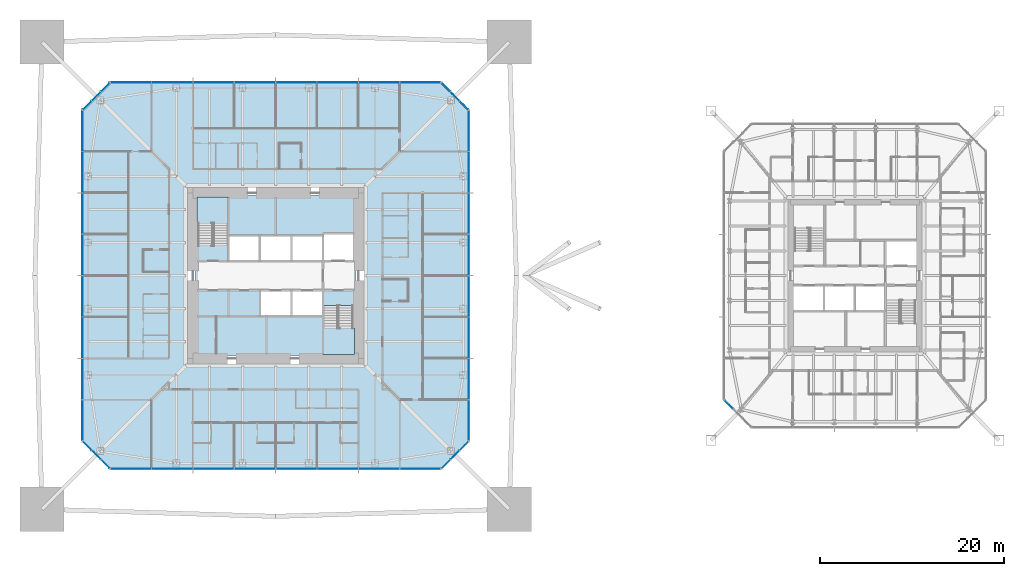
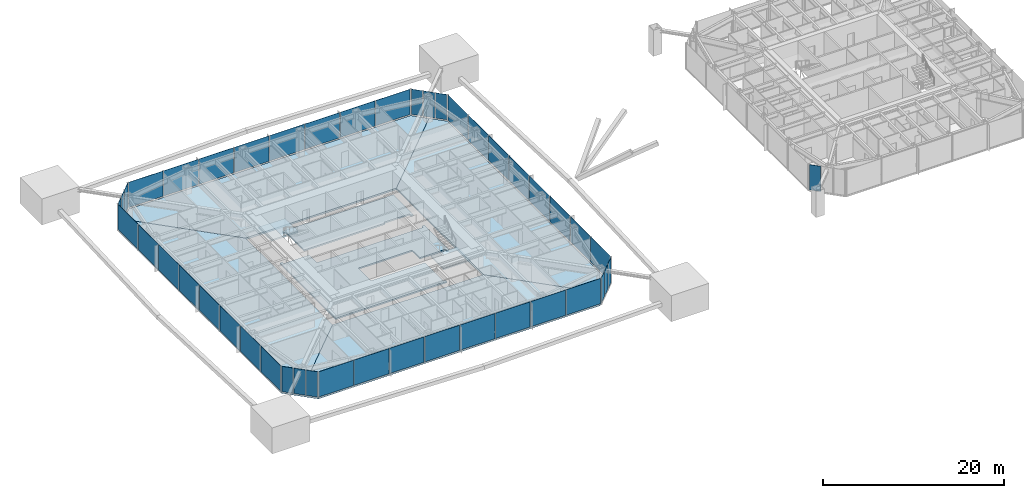
# One storey, part 13 of 27: 45 plates, 8 slabs, 11 elements without a shape of their own.
"""IFC4 building model written with IfcOpenShell, lengths in metres."""

from ifc_helpers import new_model, si_unit, direction, frame, origin, origin_2d, place, context, subcontext, project, spatial, polyline, rectangle, outline, extrude, material, layer, layer_set, constituent, constituent_set, type_object, element, aggregate, save


model = new_model("IFC4")

# Units and contexts
model_context = context("Model", 3, precision=1e-05, world=origin(), true_north=direction((0.0, 1.0)))
body_context = subcontext(model_context, "Body", "Model", "MODEL_VIEW")
ifc_project = project(units=[si_unit("LENGTHUNIT", "METRE"), si_unit("AREAUNIT", "SQUARE_METRE"), si_unit("VOLUMEUNIT", "CUBIC_METRE"), si_unit("PLANEANGLEUNIT", "RADIAN"), si_unit("MASSUNIT", "GRAM", prefix="KILO")], contexts=[model_context])

# Site, building, storey
site_placement = place(None, origin())
site = spatial("IfcSite", under=ifc_project, at=site_placement, CompositionType="ELEMENT")
building_placement = place(site_placement, origin())
building = spatial("IfcBuilding", under=site, at=building_placement, Name="Iwan Alto Co-Living Towers", CompositionType="ELEMENT")
storey_placement = place(building_placement, frame((0.0, 0.0, 91.0)))
storey = spatial("IfcBuildingStorey", under=building, at=storey_placement, Name="L24", CompositionType="ELEMENT", Elevation=91.0)

# Slabs
ifc_material_1 = material(Name="Concrete f'c 30 MPa", Category="concrete")
ifc_layer_1 = layer(ifc_material_1, 0.199951171875)
ifc_layer_set_1 = layer_set([ifc_layer_1], Name="CORE FLOOR SLAB 200")
slab_type_1 = type_object("IfcSlabType", Name="CORE FLOOR SLAB 200", PredefinedType="FLOOR", material=ifc_layer_set_1)
slab_1_placement = place(storey_placement, frame((0.0, 0.0, -0.199951171875)))
element("IfcSlab", 1, at=slab_1_placement, inside=storey, type_object=slab_type_1, Name="T1 core floor L24", PredefinedType="FLOOR", context=body_context, shape_type="SweptSolid", body=[
    extrude(outline(polyline([(5.14990234375, -1.60009765625), (1.72509765625, -1.60009765625), (-1.699951171875, -1.60009765625), (-1.699951171875, -4.39990234375), (1.72509765625, -4.39990234375), (5.14990234375, -4.39990234375), (5.14990234375, -8.39990234375), (5.4599609375, -8.39990234375), (5.4599609375, -8.699951171875), (-8.699951171875, -8.699951171875), (-8.699951171875, 3.580078125), (-8.39990234375, 3.580078125), (-8.39990234375, 3.27001953125), (-5.14990234375, 3.27001953125), (-5.14990234375, 1.60009765625), (-1.717041015625, 1.60009765625), (1.717041015625, 1.60009765625), (5.14990234375, 1.60009765625), (8.39990234375, 1.60009765625), (8.39990234375, 1.909912109375), (8.699951171875, 1.909912109375), (8.699951171875, -3.580078125), (8.39990234375, -3.580078125), (8.39990234375, -3.27001953125), (5.14990234375, -3.27001953125), (5.14990234375, -1.60009765625)])), origin(), (0.0, 0.0, 1.0), 0.199951171875),
])
slab_2_placement = place(storey_placement, frame((0.0, 0.0, -0.199951171875)))
element("IfcSlab", 2, at=slab_2_placement, inside=storey, type_object=slab_type_1, Name="T1 core floor L24", PredefinedType="FLOOR", context=body_context, shape_type="SweptSolid", body=[
    extrude(outline(polyline([(1.717041015625, 4.39990234375), (-1.717041015625, 4.39990234375), (-5.14990234375, 4.39990234375), (-5.14990234375, 8.39990234375), (-5.4599609375, 8.39990234375), (-5.4599609375, 8.699951171875), (8.699951171875, 8.699951171875), (8.699951171875, 4.2900390625), (8.39990234375, 4.2900390625), (8.39990234375, 4.60009765625), (5.14990234375, 4.60009765625), (5.14990234375, 4.39990234375), (1.717041015625, 4.39990234375)])), origin(), (0.0, 0.0, 1.0), 0.199951171875),
])

# Curtain wall, plates
ifc_material_2 = material(Name="Bronze aluminium unitised frame", Category="aluminium")
curtain_wall_type_1 = type_object("IfcCurtainWallType", Name="CURTAIN WALL CW-A", PredefinedType="NOTDEFINED", material=ifc_material_2)
curtain_wall_1_placement = place(storey_placement, origin())
curtain_wall_1 = element("IfcCurtainWall", 3, at=curtain_wall_1_placement, inside=storey, type_object=curtain_wall_type_1, Name="T1 curtain wall S L24", PredefinedType="NOTDEFINED")
ifc_material_3 = material(Name="Bronze-tinted insulating glass", Category="glass")
ifc_layer_2 = layer(ifc_material_3, 0.031982421875)
ifc_layer_set_2 = layer_set([ifc_layer_2], Name="CW-A PANEL TINTED IGU 32")
plate_type_1 = type_object("IfcPlateType", Name="CW-A PANEL TINTED IGU 32", PredefinedType="CURTAIN_PANEL", material=ifc_layer_set_2)
plate_1_placement = place(storey_placement, frame((-15.72998046875, -21.0, 0.10009765625), z_axis=(0.0, 0.0, 1.0), x_axis=(1.0, 0.0, 0.0)))
plate_1 = element("IfcPlate", 4, at=plate_1_placement, type_object=plate_type_1, Name="CW-A panel 1.1", PredefinedType="CURTAIN_PANEL", context=body_context, shape_type="SweptSolid", body=[
    extrude(rectangle(XDim=4.3798828125, YDim=0.031982421875, at=origin_2d()), origin(), (0.0, 0.0, 1.0), 3.39990234375),
])
plate_2_placement = place(storey_placement, frame((-11.25, -21.0, 0.10009765625), z_axis=(0.0, 0.0, 1.0), x_axis=(1.0, 0.0, 0.0)))
plate_2 = element("IfcPlate", 5, at=plate_2_placement, type_object=plate_type_1, Name="CW-A panel 2.1", PredefinedType="CURTAIN_PANEL", context=body_context, shape_type="SweptSolid", body=[
    extrude(rectangle(XDim=4.419921875, YDim=0.031982421875, at=origin_2d()), origin(), (0.0, 0.0, 1.0), 3.39990234375),
])
plate_3_placement = place(storey_placement, frame((-6.75, -21.0, 0.10009765625), z_axis=(0.0, 0.0, 1.0), x_axis=(1.0, 0.0, 0.0)))
plate_3 = element("IfcPlate", 6, at=plate_3_placement, type_object=plate_type_1, Name="CW-A panel 3.1", PredefinedType="CURTAIN_PANEL", context=body_context, shape_type="SweptSolid", body=[
    extrude(rectangle(XDim=4.419921875, YDim=0.031982421875, at=origin_2d()), origin(), (0.0, 0.0, 1.0), 3.39990234375),
])
plate_4_placement = place(storey_placement, frame((-2.25, -21.0, 0.10009765625), z_axis=(0.0, 0.0, 1.0), x_axis=(1.0, 0.0, 0.0)))
plate_4 = element("IfcPlate", 7, at=plate_4_placement, type_object=plate_type_1, Name="CW-A panel 4.1", PredefinedType="CURTAIN_PANEL", context=body_context, shape_type="SweptSolid", body=[
    extrude(rectangle(XDim=4.419921875, YDim=0.031982421875, at=origin_2d()), origin(), (0.0, 0.0, 1.0), 3.39990234375),
])
plate_5_placement = place(storey_placement, frame((2.25, -21.0, 0.10009765625), z_axis=(0.0, 0.0, 1.0), x_axis=(1.0, 0.0, 0.0)))
plate_5 = element("IfcPlate", 8, at=plate_5_placement, type_object=plate_type_1, Name="CW-A panel 5.1", PredefinedType="CURTAIN_PANEL", context=body_context, shape_type="SweptSolid", body=[
    extrude(rectangle(XDim=4.419921875, YDim=0.031982421875, at=origin_2d()), origin(), (0.0, 0.0, 1.0), 3.39990234375),
])
plate_6_placement = place(storey_placement, frame((6.75, -21.0, 0.10009765625), z_axis=(0.0, 0.0, 1.0), x_axis=(1.0, 0.0, 0.0)))
plate_6 = element("IfcPlate", 9, at=plate_6_placement, type_object=plate_type_1, Name="CW-A panel 6.1", PredefinedType="CURTAIN_PANEL", context=body_context, shape_type="SweptSolid", body=[
    extrude(rectangle(XDim=4.419921875, YDim=0.031982421875, at=origin_2d()), origin(), (0.0, 0.0, 1.0), 3.39990234375),
])
plate_7_placement = place(storey_placement, frame((11.25, -21.0, 0.10009765625), z_axis=(0.0, 0.0, 1.0), x_axis=(1.0, 0.0, 0.0)))
plate_7 = element("IfcPlate", 10, at=plate_7_placement, type_object=plate_type_1, Name="CW-A panel 7.1", PredefinedType="CURTAIN_PANEL", context=body_context, shape_type="SweptSolid", body=[
    extrude(rectangle(XDim=4.419921875, YDim=0.031982421875, at=origin_2d()), origin(), (0.0, 0.0, 1.0), 3.39990234375),
])
plate_8_placement = place(storey_placement, frame((15.72998046875, -21.0, 0.10009765625), z_axis=(0.0, 0.0, 1.0), x_axis=(1.0, 0.0, 0.0)))
plate_8 = element("IfcPlate", 11, at=plate_8_placement, type_object=plate_type_1, Name="CW-A panel 8.1", PredefinedType="CURTAIN_PANEL", context=body_context, shape_type="SweptSolid", body=[
    extrude(rectangle(XDim=4.3798828125, YDim=0.031982421875, at=origin_2d()), origin(), (0.0, 0.0, 1.0), 3.39990234375),
])
aggregate(curtain_wall_1, [plate_1, plate_2, plate_3, plate_4, plate_5, plate_6, plate_7, plate_8])

curtain_wall_2_placement = place(storey_placement, origin())
curtain_wall_2 = element("IfcCurtainWall", 12, at=curtain_wall_2_placement, inside=storey, type_object=curtain_wall_type_1, Name="T1 curtain wall E L24", PredefinedType="NOTDEFINED")
plate_9_placement = place(storey_placement, frame((21.0, -15.72998046875, 0.10009765625), z_axis=(0.0, 0.0, 1.0), x_axis=(0.0, 1.0, 0.0)))
plate_9 = element("IfcPlate", 13, at=plate_9_placement, type_object=plate_type_1, Name="CW-A panel 1.1", PredefinedType="CURTAIN_PANEL", context=body_context, shape_type="SweptSolid", body=[
    extrude(rectangle(XDim=4.3798828125, YDim=0.031982421875, at=origin_2d()), origin(), (0.0, 0.0, 1.0), 3.39990234375),
])
plate_10_placement = place(storey_placement, frame((21.0, -11.25, 0.10009765625), z_axis=(0.0, 0.0, 1.0), x_axis=(0.0, 1.0, 0.0)))
plate_10 = element("IfcPlate", 14, at=plate_10_placement, type_object=plate_type_1, Name="CW-A panel 2.1", PredefinedType="CURTAIN_PANEL", context=body_context, shape_type="SweptSolid", body=[
    extrude(rectangle(XDim=4.419921875, YDim=0.031982421875, at=origin_2d()), origin(), (0.0, 0.0, 1.0), 3.39990234375),
])
plate_11_placement = place(storey_placement, frame((21.0, -6.75, 0.10009765625), z_axis=(0.0, 0.0, 1.0), x_axis=(0.0, 1.0, 0.0)))
plate_11 = element("IfcPlate", 15, at=plate_11_placement, type_object=plate_type_1, Name="CW-A panel 3.1", PredefinedType="CURTAIN_PANEL", context=body_context, shape_type="SweptSolid", body=[
    extrude(rectangle(XDim=4.419921875, YDim=0.031982421875, at=origin_2d()), origin(), (0.0, 0.0, 1.0), 3.39990234375),
])
plate_12_placement = place(storey_placement, frame((21.0, -2.25, 0.10009765625), z_axis=(0.0, 0.0, 1.0), x_axis=(0.0, 1.0, 0.0)))
plate_12 = element("IfcPlate", 16, at=plate_12_placement, type_object=plate_type_1, Name="CW-A panel 4.1", PredefinedType="CURTAIN_PANEL", context=body_context, shape_type="SweptSolid", body=[
    extrude(rectangle(XDim=4.419921875, YDim=0.031982421875, at=origin_2d()), origin(), (0.0, 0.0, 1.0), 3.39990234375),
])
plate_13_placement = place(storey_placement, frame((21.0, 2.25, 0.10009765625), z_axis=(0.0, 0.0, 1.0), x_axis=(0.0, 1.0, 0.0)))
plate_13 = element("IfcPlate", 17, at=plate_13_placement, type_object=plate_type_1, Name="CW-A panel 5.1", PredefinedType="CURTAIN_PANEL", context=body_context, shape_type="SweptSolid", body=[
    extrude(rectangle(XDim=4.419921875, YDim=0.031982421875, at=origin_2d()), origin(), (0.0, 0.0, 1.0), 3.39990234375),
])
plate_14_placement = place(storey_placement, frame((21.0, 6.75, 0.10009765625), z_axis=(0.0, 0.0, 1.0), x_axis=(0.0, 1.0, 0.0)))
plate_14 = element("IfcPlate", 18, at=plate_14_placement, type_object=plate_type_1, Name="CW-A panel 6.1", PredefinedType="CURTAIN_PANEL", context=body_context, shape_type="SweptSolid", body=[
    extrude(rectangle(XDim=4.419921875, YDim=0.031982421875, at=origin_2d()), origin(), (0.0, 0.0, 1.0), 3.39990234375),
])
plate_15_placement = place(storey_placement, frame((21.0, 11.25, 0.10009765625), z_axis=(0.0, 0.0, 1.0), x_axis=(0.0, 1.0, 0.0)))
plate_15 = element("IfcPlate", 19, at=plate_15_placement, type_object=plate_type_1, Name="CW-A panel 7.1", PredefinedType="CURTAIN_PANEL", context=body_context, shape_type="SweptSolid", body=[
    extrude(rectangle(XDim=4.419921875, YDim=0.031982421875, at=origin_2d()), origin(), (0.0, 0.0, 1.0), 3.39990234375),
])
plate_16_placement = place(storey_placement, frame((21.0, 15.72998046875, 0.10009765625), z_axis=(0.0, 0.0, 1.0), x_axis=(0.0, 1.0, 0.0)))
plate_16 = element("IfcPlate", 20, at=plate_16_placement, type_object=plate_type_1, Name="CW-A panel 8.1", PredefinedType="CURTAIN_PANEL", context=body_context, shape_type="SweptSolid", body=[
    extrude(rectangle(XDim=4.3798828125, YDim=0.031982421875, at=origin_2d()), origin(), (0.0, 0.0, 1.0), 3.39990234375),
])
aggregate(curtain_wall_2, [plate_9, plate_10, plate_11, plate_12, plate_13, plate_14, plate_15, plate_16])

curtain_wall_3_placement = place(storey_placement, origin())
curtain_wall_3 = element("IfcCurtainWall", 21, at=curtain_wall_3_placement, inside=storey, type_object=curtain_wall_type_1, Name="T1 curtain wall N L24", PredefinedType="NOTDEFINED")
plate_17_placement = place(storey_placement, frame((15.72998046875, 21.0, 0.10009765625), z_axis=(0.0, 0.0, 1.0), x_axis=(-1.0, 0.0, 0.0)))
plate_17 = element("IfcPlate", 22, at=plate_17_placement, type_object=plate_type_1, Name="CW-A panel 1.1", PredefinedType="CURTAIN_PANEL", context=body_context, shape_type="SweptSolid", body=[
    extrude(rectangle(XDim=4.3798828125, YDim=0.031982421875, at=origin_2d()), origin(), (0.0, 0.0, 1.0), 3.39990234375),
])
plate_18_placement = place(storey_placement, frame((11.25, 21.0, 0.10009765625), z_axis=(0.0, 0.0, 1.0), x_axis=(-1.0, 0.0, 0.0)))
plate_18 = element("IfcPlate", 23, at=plate_18_placement, type_object=plate_type_1, Name="CW-A panel 2.1", PredefinedType="CURTAIN_PANEL", context=body_context, shape_type="SweptSolid", body=[
    extrude(rectangle(XDim=4.419921875, YDim=0.031982421875, at=origin_2d()), origin(), (0.0, 0.0, 1.0), 3.39990234375),
])
plate_19_placement = place(storey_placement, frame((6.75, 21.0, 0.10009765625), z_axis=(0.0, 0.0, 1.0), x_axis=(-1.0, 0.0, 0.0)))
plate_19 = element("IfcPlate", 24, at=plate_19_placement, type_object=plate_type_1, Name="CW-A panel 3.1", PredefinedType="CURTAIN_PANEL", context=body_context, shape_type="SweptSolid", body=[
    extrude(rectangle(XDim=4.419921875, YDim=0.031982421875, at=origin_2d()), origin(), (0.0, 0.0, 1.0), 3.39990234375),
])
plate_20_placement = place(storey_placement, frame((2.25, 21.0, 0.10009765625), z_axis=(0.0, 0.0, 1.0), x_axis=(-1.0, 0.0, 0.0)))
plate_20 = element("IfcPlate", 25, at=plate_20_placement, type_object=plate_type_1, Name="CW-A panel 4.1", PredefinedType="CURTAIN_PANEL", context=body_context, shape_type="SweptSolid", body=[
    extrude(rectangle(XDim=4.419921875, YDim=0.031982421875, at=origin_2d()), origin(), (0.0, 0.0, 1.0), 3.39990234375),
])
plate_21_placement = place(storey_placement, frame((-2.25, 21.0, 0.10009765625), z_axis=(0.0, 0.0, 1.0), x_axis=(-1.0, 0.0, 0.0)))
plate_21 = element("IfcPlate", 26, at=plate_21_placement, type_object=plate_type_1, Name="CW-A panel 5.1", PredefinedType="CURTAIN_PANEL", context=body_context, shape_type="SweptSolid", body=[
    extrude(rectangle(XDim=4.419921875, YDim=0.031982421875, at=origin_2d()), origin(), (0.0, 0.0, 1.0), 3.39990234375),
])
plate_22_placement = place(storey_placement, frame((-6.75, 21.0, 0.10009765625), z_axis=(0.0, 0.0, 1.0), x_axis=(-1.0, 0.0, 0.0)))
plate_22 = element("IfcPlate", 27, at=plate_22_placement, type_object=plate_type_1, Name="CW-A panel 6.1", PredefinedType="CURTAIN_PANEL", context=body_context, shape_type="SweptSolid", body=[
    extrude(rectangle(XDim=4.419921875, YDim=0.031982421875, at=origin_2d()), origin(), (0.0, 0.0, 1.0), 3.39990234375),
])
plate_23_placement = place(storey_placement, frame((-11.25, 21.0, 0.10009765625), z_axis=(0.0, 0.0, 1.0), x_axis=(-1.0, 0.0, 0.0)))
plate_23 = element("IfcPlate", 28, at=plate_23_placement, type_object=plate_type_1, Name="CW-A panel 7.1", PredefinedType="CURTAIN_PANEL", context=body_context, shape_type="SweptSolid", body=[
    extrude(rectangle(XDim=4.419921875, YDim=0.031982421875, at=origin_2d()), origin(), (0.0, 0.0, 1.0), 3.39990234375),
])
plate_24_placement = place(storey_placement, frame((-15.72998046875, 21.0, 0.10009765625), z_axis=(0.0, 0.0, 1.0), x_axis=(-1.0, 0.0, 0.0)))
plate_24 = element("IfcPlate", 29, at=plate_24_placement, type_object=plate_type_1, Name="CW-A panel 8.1", PredefinedType="CURTAIN_PANEL", context=body_context, shape_type="SweptSolid", body=[
    extrude(rectangle(XDim=4.3798828125, YDim=0.031982421875, at=origin_2d()), origin(), (0.0, 0.0, 1.0), 3.39990234375),
])
aggregate(curtain_wall_3, [plate_17, plate_18, plate_19, plate_20, plate_21, plate_22, plate_23, plate_24])

curtain_wall_4_placement = place(storey_placement, origin())
curtain_wall_4 = element("IfcCurtainWall", 30, at=curtain_wall_4_placement, inside=storey, type_object=curtain_wall_type_1, Name="T1 curtain wall W L24", PredefinedType="NOTDEFINED")
plate_25_placement = place(storey_placement, frame((-21.0, 15.72998046875, 0.10009765625), z_axis=(0.0, 0.0, 1.0), x_axis=(0.0, -1.0, 0.0)))
plate_25 = element("IfcPlate", 31, at=plate_25_placement, type_object=plate_type_1, Name="CW-A panel 1.1", PredefinedType="CURTAIN_PANEL", context=body_context, shape_type="SweptSolid", body=[
    extrude(rectangle(XDim=4.3798828125, YDim=0.031982421875, at=origin_2d()), origin(), (0.0, 0.0, 1.0), 3.39990234375),
])
plate_26_placement = place(storey_placement, frame((-21.0, 11.25, 0.10009765625), z_axis=(0.0, 0.0, 1.0), x_axis=(0.0, -1.0, 0.0)))
plate_26 = element("IfcPlate", 32, at=plate_26_placement, type_object=plate_type_1, Name="CW-A panel 2.1", PredefinedType="CURTAIN_PANEL", context=body_context, shape_type="SweptSolid", body=[
    extrude(rectangle(XDim=4.419921875, YDim=0.031982421875, at=origin_2d()), origin(), (0.0, 0.0, 1.0), 3.39990234375),
])
plate_27_placement = place(storey_placement, frame((-21.0, 6.75, 0.10009765625), z_axis=(0.0, 0.0, 1.0), x_axis=(0.0, -1.0, 0.0)))
plate_27 = element("IfcPlate", 33, at=plate_27_placement, type_object=plate_type_1, Name="CW-A panel 3.1", PredefinedType="CURTAIN_PANEL", context=body_context, shape_type="SweptSolid", body=[
    extrude(rectangle(XDim=4.419921875, YDim=0.031982421875, at=origin_2d()), origin(), (0.0, 0.0, 1.0), 3.39990234375),
])
plate_28_placement = place(storey_placement, frame((-21.0, 2.25, 0.10009765625), z_axis=(0.0, 0.0, 1.0), x_axis=(0.0, -1.0, 0.0)))
plate_28 = element("IfcPlate", 34, at=plate_28_placement, type_object=plate_type_1, Name="CW-A panel 4.1", PredefinedType="CURTAIN_PANEL", context=body_context, shape_type="SweptSolid", body=[
    extrude(rectangle(XDim=4.419921875, YDim=0.031982421875, at=origin_2d()), origin(), (0.0, 0.0, 1.0), 3.39990234375),
])
plate_29_placement = place(storey_placement, frame((-21.0, -2.25, 0.10009765625), z_axis=(0.0, 0.0, 1.0), x_axis=(0.0, -1.0, 0.0)))
plate_29 = element("IfcPlate", 35, at=plate_29_placement, type_object=plate_type_1, Name="CW-A panel 5.1", PredefinedType="CURTAIN_PANEL", context=body_context, shape_type="SweptSolid", body=[
    extrude(rectangle(XDim=4.419921875, YDim=0.031982421875, at=origin_2d()), origin(), (0.0, 0.0, 1.0), 3.39990234375),
])
plate_30_placement = place(storey_placement, frame((-21.0, -6.75, 0.10009765625), z_axis=(0.0, 0.0, 1.0), x_axis=(0.0, -1.0, 0.0)))
plate_30 = element("IfcPlate", 36, at=plate_30_placement, type_object=plate_type_1, Name="CW-A panel 6.1", PredefinedType="CURTAIN_PANEL", context=body_context, shape_type="SweptSolid", body=[
    extrude(rectangle(XDim=4.419921875, YDim=0.031982421875, at=origin_2d()), origin(), (0.0, 0.0, 1.0), 3.39990234375),
])
plate_31_placement = place(storey_placement, frame((-21.0, -11.25, 0.10009765625), z_axis=(0.0, 0.0, 1.0), x_axis=(0.0, -1.0, 0.0)))
plate_31 = element("IfcPlate", 37, at=plate_31_placement, type_object=plate_type_1, Name="CW-A panel 7.1", PredefinedType="CURTAIN_PANEL", context=body_context, shape_type="SweptSolid", body=[
    extrude(rectangle(XDim=4.419921875, YDim=0.031982421875, at=origin_2d()), origin(), (0.0, 0.0, 1.0), 3.39990234375),
])
plate_32_placement = place(storey_placement, frame((-21.0, -15.72998046875, 0.10009765625), z_axis=(0.0, 0.0, 1.0), x_axis=(0.0, -1.0, 0.0)))
plate_32 = element("IfcPlate", 38, at=plate_32_placement, type_object=plate_type_1, Name="CW-A panel 8.1", PredefinedType="CURTAIN_PANEL", context=body_context, shape_type="SweptSolid", body=[
    extrude(rectangle(XDim=4.3798828125, YDim=0.031982421875, at=origin_2d()), origin(), (0.0, 0.0, 1.0), 3.39990234375),
])
aggregate(curtain_wall_4, [plate_25, plate_26, plate_27, plate_28, plate_29, plate_30, plate_31, plate_32])

ifc_material_4 = material(Name="Bronze aluminium unitised frame", Category="aluminium")
curtain_wall_type_2 = type_object("IfcCurtainWallType", Name="CURTAIN WALL CW-B", PredefinedType="NOTDEFINED", material=ifc_material_4)
curtain_wall_5_placement = place(storey_placement, origin())
curtain_wall_5 = element("IfcCurtainWall", 39, at=curtain_wall_5_placement, inside=storey, type_object=curtain_wall_type_2, Name="T1 chamfer curtain wall SE L24", PredefinedType="NOTDEFINED")
ifc_material_5 = material(Name="Bronze-tinted insulating glass", Category="glass")
ifc_layer_3 = layer(ifc_material_5, 0.031982421875)
ifc_layer_set_3 = layer_set([ifc_layer_3], Name="CW-B PANEL TINTED IGU 32")
plate_type_2 = type_object("IfcPlateType", Name="CW-B PANEL TINTED IGU 32", PredefinedType="CURTAIN_PANEL", material=ifc_layer_set_3)
plate_33_placement = place(storey_placement, frame((18.51416015625, -20.48583984375, 0.10009765625), z_axis=(0.0, 0.0, 1.0), x_axis=(0.707106781187, 0.707106781187, 0.0)))
plate_33 = element("IfcPlate", 40, at=plate_33_placement, type_object=plate_type_2, Name="CW-B panel 1.1", PredefinedType="CURTAIN_PANEL", context=body_context, shape_type="SweptSolid", body=[
    extrude(rectangle(XDim=1.294189453125, YDim=0.031982421875, at=origin_2d()), origin(), (0.0, 0.0, 1.0), 3.39990234375),
])
plate_34_placement = place(storey_placement, frame((19.5, -19.5, 0.10009765625), z_axis=(0.0, 0.0, 1.0), x_axis=(0.707106781187, 0.707106781187, 0.0)))
plate_34 = element("IfcPlate", 41, at=plate_34_placement, type_object=plate_type_2, Name="CW-B panel 2.1", PredefinedType="CURTAIN_PANEL", context=body_context, shape_type="SweptSolid", body=[
    extrude(rectangle(XDim=1.334228515625, YDim=0.031982421875, at=origin_2d()), origin(), (0.0, 0.0, 1.0), 3.39990234375),
])
plate_35_placement = place(storey_placement, frame((20.48583984375, -18.51416015625, 0.10009765625), z_axis=(0.0, 0.0, 1.0), x_axis=(0.707106781187, 0.707106781187, 0.0)))
plate_35 = element("IfcPlate", 42, at=plate_35_placement, type_object=plate_type_2, Name="CW-B panel 3.1", PredefinedType="CURTAIN_PANEL", context=body_context, shape_type="SweptSolid", body=[
    extrude(rectangle(XDim=1.294189453125, YDim=0.031982421875, at=origin_2d()), origin(), (0.0, 0.0, 1.0), 3.39990234375),
])
aggregate(curtain_wall_5, [plate_33, plate_34, plate_35])

curtain_wall_6_placement = place(storey_placement, origin())
curtain_wall_6 = element("IfcCurtainWall", 43, at=curtain_wall_6_placement, inside=storey, type_object=curtain_wall_type_2, Name="T1 chamfer curtain wall NE L24", PredefinedType="NOTDEFINED")
plate_36_placement = place(storey_placement, frame((20.48583984375, 18.51416015625, 0.10009765625), z_axis=(0.0, 0.0, 1.0), x_axis=(-0.707106781187, 0.707106781187, 0.0)))
plate_36 = element("IfcPlate", 44, at=plate_36_placement, type_object=plate_type_2, Name="CW-B panel 1.1", PredefinedType="CURTAIN_PANEL", context=body_context, shape_type="SweptSolid", body=[
    extrude(rectangle(XDim=1.294189453125, YDim=0.031982421875, at=origin_2d()), origin(), (0.0, 0.0, 1.0), 3.39990234375),
])
plate_37_placement = place(storey_placement, frame((19.5, 19.5, 0.10009765625), z_axis=(0.0, 0.0, 1.0), x_axis=(-0.707106781187, 0.707106781187, 0.0)))
plate_37 = element("IfcPlate", 45, at=plate_37_placement, type_object=plate_type_2, Name="CW-B panel 2.1", PredefinedType="CURTAIN_PANEL", context=body_context, shape_type="SweptSolid", body=[
    extrude(rectangle(XDim=1.334228515625, YDim=0.031982421875, at=origin_2d()), origin(), (0.0, 0.0, 1.0), 3.39990234375),
])
plate_38_placement = place(storey_placement, frame((18.51416015625, 20.48583984375, 0.10009765625), z_axis=(0.0, 0.0, 1.0), x_axis=(-0.707106781187, 0.707106781187, 0.0)))
plate_38 = element("IfcPlate", 46, at=plate_38_placement, type_object=plate_type_2, Name="CW-B panel 3.1", PredefinedType="CURTAIN_PANEL", context=body_context, shape_type="SweptSolid", body=[
    extrude(rectangle(XDim=1.294189453125, YDim=0.031982421875, at=origin_2d()), origin(), (0.0, 0.0, 1.0), 3.39990234375),
])
aggregate(curtain_wall_6, [plate_36, plate_37, plate_38])

curtain_wall_7_placement = place(storey_placement, origin())
curtain_wall_7 = element("IfcCurtainWall", 47, at=curtain_wall_7_placement, inside=storey, type_object=curtain_wall_type_2, Name="T1 chamfer curtain wall NW L24", PredefinedType="NOTDEFINED")
plate_39_placement = place(storey_placement, frame((-18.51416015625, 20.48583984375, 0.10009765625), z_axis=(0.0, 0.0, 1.0), x_axis=(-0.707106781187, -0.707106781187, 0.0)))
plate_39 = element("IfcPlate", 48, at=plate_39_placement, type_object=plate_type_2, Name="CW-B panel 1.1", PredefinedType="CURTAIN_PANEL", context=body_context, shape_type="SweptSolid", body=[
    extrude(rectangle(XDim=1.294189453125, YDim=0.031982421875, at=origin_2d()), origin(), (0.0, 0.0, 1.0), 3.39990234375),
])
plate_40_placement = place(storey_placement, frame((-19.5, 19.5, 0.10009765625), z_axis=(0.0, 0.0, 1.0), x_axis=(-0.707106781187, -0.707106781187, 0.0)))
plate_40 = element("IfcPlate", 49, at=plate_40_placement, type_object=plate_type_2, Name="CW-B panel 2.1", PredefinedType="CURTAIN_PANEL", context=body_context, shape_type="SweptSolid", body=[
    extrude(rectangle(XDim=1.334228515625, YDim=0.031982421875, at=origin_2d()), origin(), (0.0, 0.0, 1.0), 3.39990234375),
])
plate_41_placement = place(storey_placement, frame((-20.48583984375, 18.51416015625, 0.10009765625), z_axis=(0.0, 0.0, 1.0), x_axis=(-0.707106781187, -0.707106781187, 0.0)))
plate_41 = element("IfcPlate", 50, at=plate_41_placement, type_object=plate_type_2, Name="CW-B panel 3.1", PredefinedType="CURTAIN_PANEL", context=body_context, shape_type="SweptSolid", body=[
    extrude(rectangle(XDim=1.294189453125, YDim=0.031982421875, at=origin_2d()), origin(), (0.0, 0.0, 1.0), 3.39990234375),
])
aggregate(curtain_wall_7, [plate_39, plate_40, plate_41])

curtain_wall_8_placement = place(storey_placement, origin())
curtain_wall_8 = element("IfcCurtainWall", 51, at=curtain_wall_8_placement, inside=storey, type_object=curtain_wall_type_2, Name="T1 chamfer curtain wall SW L24", PredefinedType="NOTDEFINED")
plate_42_placement = place(storey_placement, frame((-20.48583984375, -18.51416015625, 0.10009765625), z_axis=(0.0, 0.0, 1.0), x_axis=(0.707106781187, -0.707106781187, 0.0)))
plate_42 = element("IfcPlate", 52, at=plate_42_placement, type_object=plate_type_2, Name="CW-B panel 1.1", PredefinedType="CURTAIN_PANEL", context=body_context, shape_type="SweptSolid", body=[
    extrude(rectangle(XDim=1.294189453125, YDim=0.031982421875, at=origin_2d()), origin(), (0.0, 0.0, 1.0), 3.39990234375),
])
plate_43_placement = place(storey_placement, frame((-19.5, -19.5, 0.10009765625), z_axis=(0.0, 0.0, 1.0), x_axis=(0.707106781187, -0.707106781187, 0.0)))
plate_43 = element("IfcPlate", 53, at=plate_43_placement, type_object=plate_type_2, Name="CW-B panel 2.1", PredefinedType="CURTAIN_PANEL", context=body_context, shape_type="SweptSolid", body=[
    extrude(rectangle(XDim=1.334228515625, YDim=0.031982421875, at=origin_2d()), origin(), (0.0, 0.0, 1.0), 3.39990234375),
])
plate_44_placement = place(storey_placement, frame((-18.51416015625, -20.48583984375, 0.10009765625), z_axis=(0.0, 0.0, 1.0), x_axis=(0.707106781187, -0.707106781187, 0.0)))
plate_44 = element("IfcPlate", 54, at=plate_44_placement, type_object=plate_type_2, Name="CW-B panel 3.1", PredefinedType="CURTAIN_PANEL", context=body_context, shape_type="SweptSolid", body=[
    extrude(rectangle(XDim=1.294189453125, YDim=0.031982421875, at=origin_2d()), origin(), (0.0, 0.0, 1.0), 3.39990234375),
])
aggregate(curtain_wall_8, [plate_42, plate_43, plate_44])

# Curtain wall, plate
ifc_material_6 = material(Name="Bronze aluminium unitised frame", Category="aluminium")
curtain_wall_type_3 = type_object("IfcCurtainWallType", Name="CURTAIN WALL CW-D", PredefinedType="NOTDEFINED", material=ifc_material_6)
curtain_wall_9_placement = place(storey_placement, origin())
curtain_wall_9 = element("IfcCurtainWall", 55, at=curtain_wall_9_placement, inside=storey, type_object=curtain_wall_type_3, Name="T2 chamfer curtain wall SW L24", PredefinedType="NOTDEFINED")
ifc_material_7 = material(Name="Bronze-tinted insulating glass", Category="glass")
ifc_layer_4 = layer(ifc_material_7, 0.031982421875)
ifc_layer_set_4 = layer_set([ifc_layer_4], Name="CW-D PANEL TINTED IGU 32")
plate_type_3 = type_object("IfcPlateType", Name="CW-D PANEL TINTED IGU 32", PredefinedType="CURTAIN_PANEL", material=ifc_layer_set_4)
plate_45_placement = place(storey_placement, frame((49.26416015625, -14.01416015625, 0.10009765625), z_axis=(0.0, 0.0, 1.0), x_axis=(0.707106781187, -0.707106781187, 0.0)))
plate_45 = element("IfcPlate", 56, at=plate_45_placement, type_object=plate_type_3, Name="CW-D panel 1.1", PredefinedType="CURTAIN_PANEL", context=body_context, shape_type="SweptSolid", body=[
    extrude(rectangle(XDim=1.294189453125, YDim=0.031982421875, at=origin_2d()), origin(), (0.0, 0.0, 1.0), 3.39990234375),
])
aggregate(curtain_wall_9, [plate_45])

# Stair, slab
ifc_material_8 = material(Name="Steel ASTM A36", Category="steel")
ifc_constituent_1 = constituent(ifc_material_8, Name="Stringers", Category="LoadBearing")
ifc_material_9 = material(Name="Concrete f'c 30 MPa", Category="concrete")
ifc_constituent_2 = constituent(ifc_material_9, Name="Tread fill", Category="Finish")
ifc_constituent_set = constituent_set(constituents=[ifc_constituent_1, ifc_constituent_2], Name="STAIR 3500 TWO-FLIGHT T1 CORE")
stair_type = type_object("IfcStairType", Name="STAIR 3500 TWO-FLIGHT T1 CORE", PredefinedType="HALF_TURN_STAIR", material=ifc_constituent_set)
stair_1_placement = place(storey_placement, origin())
stair_1 = element("IfcStair", 57, at=stair_1_placement, inside=storey, type_object=stair_type, Name="Stair T1-S1 L24 to L25", PredefinedType="HALF_TURN_STAIR")
ifc_material_10 = material(Name="Concrete f'c 30 MPa", Category="concrete")
ifc_layer_5 = layer(ifc_material_10, 0.199951171875)
ifc_layer_set_5 = layer_set([ifc_layer_5], Name="STAIR LANDING 200")
slab_type_2 = type_object("IfcSlabType", Name="STAIR LANDING 200", PredefinedType="LANDING", material=ifc_layer_set_5)
slab_3_placement = place(storey_placement, frame((0.0, 0.0, 1.550048828125)))
slab_3 = element("IfcSlab", 58, at=slab_3_placement, type_object=slab_type_2, Name="T1-S1 landing 1", PredefinedType="LANDING", context=body_context, shape_type="SweptSolid", body=[
    extrude(outline(polyline([(-8.550048828125, 5.68994140625), (-8.550048828125, 8.550048828125), (-5.14990234375, 8.550048828125), (-5.14990234375, 5.68994140625), (-8.550048828125, 5.68994140625)])), origin(), (0.0, 0.0, 1.0), 0.199951171875),
])
aggregate(stair_1, [slab_3])

stair_2_placement = place(storey_placement, origin())
stair_2 = element("IfcStair", 59, at=stair_2_placement, inside=storey, type_object=stair_type, Name="Stair T1-S2 L24 to L25", PredefinedType="HALF_TURN_STAIR")
slab_4_placement = place(storey_placement, frame((0.0, 0.0, 1.550048828125)))
slab_4 = element("IfcSlab", 60, at=slab_4_placement, type_object=slab_type_2, Name="T1-S2 landing 1", PredefinedType="LANDING", context=body_context, shape_type="SweptSolid", body=[
    extrude(outline(polyline([(5.14990234375, -5.68994140625), (5.14990234375, -8.550048828125), (8.550048828125, -8.550048828125), (8.550048828125, -5.68994140625), (5.14990234375, -5.68994140625)])), origin(), (0.0, 0.0, 1.0), 0.199951171875),
])
aggregate(stair_2, [slab_4])

# Slabs
ifc_material_11 = material(Name="Concrete f'c 30 MPa", Category="concrete")
ifc_layer_6 = layer(ifc_material_11, 0.22998046875)
ifc_layer_set_6 = layer_set([ifc_layer_6], Name="T1 FLOOR SLAB 230")
slab_type_3 = type_object("IfcSlabType", Name="T1 FLOOR SLAB 230", PredefinedType="FLOOR", material=ifc_layer_set_6)
slab_5_placement = place(storey_placement, frame((0.0, 0.0, -0.22998046875)))
element("IfcSlab", 61, at=slab_5_placement, inside=storey, type_object=slab_type_3, Name="T1 floor slab L24 S pour", PredefinedType="FLOOR", context=body_context, shape_type="SweptSolid", body=[
    extrude(outline(polyline([(17.94140625, -20.89990234375), (-17.94140625, -20.89990234375), (-19.420654296875, -19.420654296875), (-9.60009765625, -9.60009765625), (9.60009765625, -9.60009765625), (19.420654296875, -19.420654296875), (17.94140625, -20.89990234375)])), origin(), (0.0, 0.0, 1.0), 0.22998046875),
])
slab_6_placement = place(storey_placement, frame((0.0, 0.0, -0.22998046875)))
element("IfcSlab", 62, at=slab_6_placement, inside=storey, type_object=slab_type_3, Name="T1 floor slab L24 E pour", PredefinedType="FLOOR", context=body_context, shape_type="SweptSolid", body=[
    extrude(outline(polyline([(20.89990234375, 17.94140625), (20.89990234375, -17.94140625), (19.420654296875, -19.420654296875), (9.60009765625, -9.60009765625), (9.60009765625, 9.60009765625), (19.420654296875, 19.420654296875), (20.89990234375, 17.94140625)])), origin(), (0.0, 0.0, 1.0), 0.22998046875),
])
slab_7_placement = place(storey_placement, frame((0.0, 0.0, -0.22998046875)))
element("IfcSlab", 63, at=slab_7_placement, inside=storey, type_object=slab_type_3, Name="T1 floor slab L24 N pour", PredefinedType="FLOOR", context=body_context, shape_type="SweptSolid", body=[
    extrude(outline(polyline([(-17.94140625, 20.89990234375), (17.94140625, 20.89990234375), (19.420654296875, 19.420654296875), (9.60009765625, 9.60009765625), (-9.60009765625, 9.60009765625), (-19.420654296875, 19.420654296875), (-17.94140625, 20.89990234375)])), origin(), (0.0, 0.0, 1.0), 0.22998046875),
])
slab_8_placement = place(storey_placement, frame((0.0, 0.0, -0.22998046875)))
element("IfcSlab", 64, at=slab_8_placement, inside=storey, type_object=slab_type_3, Name="T1 floor slab L24 W pour", PredefinedType="FLOOR", context=body_context, shape_type="SweptSolid", body=[
    extrude(outline(polyline([(-20.89990234375, 17.94140625), (-19.420654296875, 19.420654296875), (-9.60009765625, 9.60009765625), (-9.60009765625, -9.60009765625), (-19.420654296875, -19.420654296875), (-20.89990234375, -17.94140625), (-20.89990234375, 17.94140625)])), origin(), (0.0, 0.0, 1.0), 0.22998046875),
])

save(model, "model.ifc")
